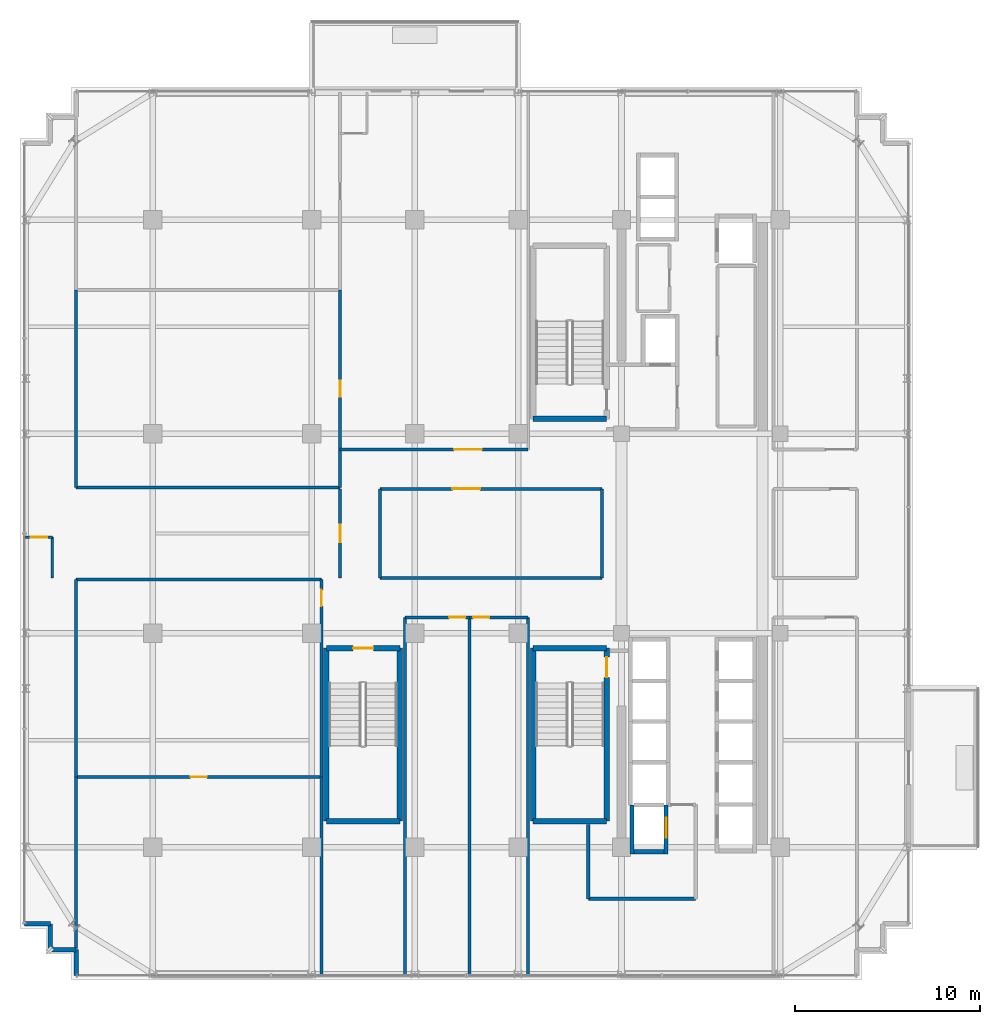
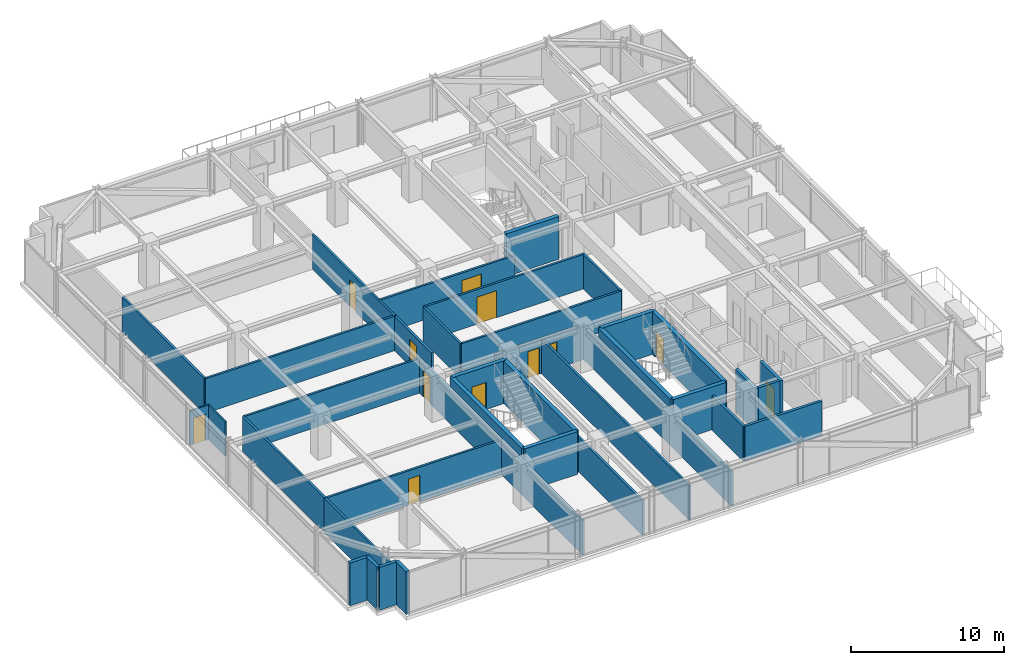
# One storey, part 36 of 42: 40 walls, 12 doors, 12 openings.
"""IFC4 building model written with IfcOpenShell, lengths in metres."""

from ifc_helpers import new_model, si_unit, direction, frame, frame_2d, origin, place, context, subcontext, project, spatial, rectangle, extrude, source, transform, mapped, material, layer, layer_set, type_object, element, fill, save


model = new_model("IFC4")

# Units and contexts
model_context = context("Model", 3, precision=1e-05, world=origin(), true_north=direction((0.0, 1.0)))
body_context = subcontext(model_context, "Body", "Model", "MODEL_VIEW")
ifc_project = project(units=[si_unit("LENGTHUNIT", "METRE"), si_unit("AREAUNIT", "SQUARE_METRE"), si_unit("VOLUMEUNIT", "CUBIC_METRE"), si_unit("PLANEANGLEUNIT", "RADIAN"), si_unit("MASSUNIT", "GRAM", prefix="KILO")], contexts=[model_context])

# Site, building, storey
site_placement = place(None, origin())
site = spatial("IfcSite", under=ifc_project, at=site_placement, CompositionType="ELEMENT")
building_placement = place(site_placement, origin())
building = spatial("IfcBuilding", under=site, at=building_placement, Name="Nahalor Promenade Grand Hotel", CompositionType="ELEMENT")
storey_placement = place(building_placement, frame((0.0, 0.0, 249.300048828125)))
storey = spatial("IfcBuildingStorey", under=building, at=storey_placement, Name="L64", CompositionType="ELEMENT", Elevation=249.300048828125)

# Walls
ifc_material_1 = material(Name="Concrete B-50 (C40/50)", Category="concrete")
ifc_layer_1 = layer(ifc_material_1, 0.300048828125)
ifc_layer_set_1 = layer_set([ifc_layer_1], Name="Concrete B-50 (C40/50)")
wall_type_1 = type_object("IfcWallType", Name="Wall-ShaftShear-300", PredefinedType="SHEAR", material=ifc_layer_set_1)
shared_shape_1 = source(origin(), body_context, "Body", "SweptSolid", [
    extrude(rectangle(XDim=3.97998046875, YDim=0.300048828125, at=frame_2d((1.989990234375, 0.0))), origin(), (0.0, 0.0, 1.0), 3.409912109375),
])
for number, where, z_axis, x_axis, name in (
    (1, (3.610107421875, 6.2099609375, 0.0), (0.0, 0.0, 1.0), (1.0, 0.0, 0.0), "L64 Exit Stair ST1 Shaft Wall S"),
    (2, (3.610107421875, -15.590087890625, 0.0), (0.0, 0.0, 1.0), (1.0, 0.0, 0.0), "L64 Exit Stair ST2 Shaft Wall S"),
    (3, (3.610107421875, -6.2099609375, 0.0), (0.0, 0.0, 1.0), (1.0, 0.0, 0.0), "L64 Exit Stair ST2 Shaft Wall N"),
    (4, (-7.590087890625, -15.590087890625, 0.0), (0.0, 0.0, 1.0), (1.0, 0.0, 0.0), "L64 Exit Stair ST3 Shaft Wall S"),
):
    element("IfcWall", number, at=place(storey_placement, frame(where, z_axis=z_axis, x_axis=x_axis)), inside=storey, type_object=wall_type_1, Name=name, PredefinedType="SHEAR", context=body_context, shape_type="MappedRepresentation", body=[
        mapped(shared_shape_1, transform((0.0, 0.0, 0.0), scale=1.0)),
    ])

# Wall, opening, door
wall_1_placement = place(storey_placement, frame((-7.590087890625, -6.2099609375, 0.0), z_axis=(0.0, 0.0, 1.0), x_axis=(1.0, 0.0, 0.0)))
wall_1 = element("IfcWall", 5, at=wall_1_placement, inside=storey, type_object=wall_type_1, Name="L64 Exit Stair ST3 Shaft Wall N", PredefinedType="SHEAR", context=body_context, shape_type="MappedRepresentation", body=[
    mapped(shared_shape_1, transform((0.0, 0.0, 0.0), scale=1.0)),
])
opening_1_placement = place(wall_1_placement, frame((1.43994140625, 0.0, 0.0)))
opening_1 = element("IfcOpeningElement", 6, at=opening_1_placement, cuts=wall_1, Name="Opening D-ST1", PredefinedType="OPENING", context=body_context, shape_type="SweptSolid", body=[
    extrude(rectangle(XDim=1.10009765625, YDim=2.14990234375, at=frame_2d((0.550048828125, 1.074951171875))), frame((0.0, 0.159912109375, 0.0), z_axis=(0.0, -1.0, 0.0), x_axis=(1.0, 0.0, 0.0)), (0.0, 0.0, 1.0), 0.320068359375),
])
ifc_material_2 = material(Name="Steel S355JR", Category="steel")
door_type_1 = type_object("IfcDoorType", Name="Door-StairFire-1100", OperationType="NOTDEFINED", PredefinedType="DOOR", material=ifc_material_2)
shared_shape_2 = source(origin(), body_context, "Body", "SweptSolid", [
    extrude(rectangle(XDim=1.10009765625, YDim=2.14990234375, at=frame_2d((0.550048828125, 1.074951171875))), frame((0.0, 0.02490234375, 0.0), z_axis=(0.0, -1.0, 0.0), x_axis=(1.0, 0.0, 0.0)), (0.0, 0.0, 1.0), 0.050048828125),
])
door_1_placement = place(opening_1_placement, frame((1.10009765625, 0.0, 0.0), z_axis=(0.0, 0.0, 1.0), x_axis=(-1.0, 0.0, 0.0)))
door_1 = element("IfcDoor", 7, at=door_1_placement, inside=storey, type_object=door_type_1, Name="DR-STAIR-ST3-L64", OperationType="SINGLE_SWING_LEFT", OverallHeight=2.14990234375, OverallWidth=1.10009765625, PredefinedType="DOOR", context=body_context, shape_type="MappedRepresentation", body=[
    mapped(shared_shape_2, transform((0.0, 0.0, 0.0), scale=1.0)),
])
fill(opening_1, door_1)

# Wall
shared_shape_3 = source(origin(), body_context, "Body", "SweptSolid", [
    extrude(rectangle(XDim=9.380126953125, YDim=0.300048828125, at=frame_2d((4.68994140625, 0.0))), origin(), (0.0, 0.0, 1.0), 3.409912109375),
])
wall_2_placement = place(storey_placement, frame((3.610107421875, -15.590087890625, 0.0), z_axis=(0.0, 0.0, 1.0), x_axis=(0.0, 1.0, 0.0)))
element("IfcWall", 8, at=wall_2_placement, inside=storey, type_object=wall_type_1, Name="L64 Exit Stair ST2 Shaft Wall W", PredefinedType="SHEAR", context=body_context, shape_type="MappedRepresentation", body=[
    mapped(shared_shape_3, transform((0.0, 0.0, 0.0), scale=1.0)),
])

# Wall, opening, door
wall_3_placement = place(storey_placement, frame((7.590087890625, -15.590087890625, 0.0), z_axis=(0.0, 0.0, 1.0), x_axis=(0.0, 1.0, 0.0)))
wall_3 = element("IfcWall", 9, at=wall_3_placement, inside=storey, type_object=wall_type_1, Name="L64 Exit Stair ST2 Shaft Wall E", PredefinedType="SHEAR", context=body_context, shape_type="MappedRepresentation", body=[
    mapped(shared_shape_3, transform((0.0, 0.0, 0.0), scale=1.0)),
])
opening_2_placement = place(wall_3_placement, frame((7.7900390625, 0.0, 0.0)))
opening_2 = element("IfcOpeningElement", 10, at=opening_2_placement, cuts=wall_3, Name="Opening D-ST1", PredefinedType="OPENING", context=body_context, shape_type="SweptSolid", body=[
    extrude(rectangle(XDim=1.10009765625, YDim=2.14990234375, at=frame_2d((0.550048828125, 1.074951171875))), frame((0.0, 0.159912109375, 0.0), z_axis=(0.0, -1.0, 0.0), x_axis=(1.0, 0.0, 0.0)), (0.0, 0.0, 1.0), 0.320068359375),
])
door_2_placement = place(opening_2_placement, origin())
door_2 = element("IfcDoor", 11, at=door_2_placement, inside=storey, type_object=door_type_1, Name="DR-STAIR-ST2-L64", OperationType="SINGLE_SWING_LEFT", OverallHeight=2.14990234375, OverallWidth=1.10009765625, PredefinedType="DOOR", context=body_context, shape_type="MappedRepresentation", body=[
    mapped(shared_shape_2, transform((0.0, 0.0, 0.0), scale=1.0)),
])
fill(opening_2, door_2)

# Walls
for number, where, z_axis, x_axis, name in (
    (12, (-7.590087890625, -15.590087890625, 0.0), (0.0, 0.0, 1.0), (0.0, 1.0, 0.0), "L64 Exit Stair ST3 Shaft Wall W"),
    (13, (-3.610107421875, -15.590087890625, 0.0), (0.0, 0.0, 1.0), (0.0, 1.0, 0.0), "L64 Exit Stair ST3 Shaft Wall E"),
):
    element("IfcWall", number, at=place(storey_placement, frame(where, z_axis=z_axis, x_axis=x_axis)), inside=storey, type_object=wall_type_1, Name=name, PredefinedType="SHEAR", context=body_context, shape_type="MappedRepresentation", body=[
        mapped(shared_shape_3, transform((0.0, 0.0, 0.0), scale=1.0)),
    ])
ifc_layer_2 = layer(ifc_material_1, 0.219970703125)
ifc_layer_set_2 = layer_set([ifc_layer_2], Name="Concrete B-50 (C40/50)")
wall_type_2 = type_object("IfcWallType", Name="Wall-LiftShaft-220", PredefinedType="SHEAR", material=ifc_layer_set_2)
shared_shape_4 = source(origin(), body_context, "Body", "SweptSolid", [
    extrude(rectangle(XDim=2.635009765625, YDim=0.219970703125, at=frame_2d((1.3173828125, 0.0))), origin(), (0.0, 0.0, 1.0), 3.409912109375),
])
wall_4_placement = place(storey_placement, frame((8.97998046875, -17.360107421875, 0.0), z_axis=(0.0, 0.0, 1.0), x_axis=(0.0, 1.0, 0.0)))
element("IfcWall", 14, at=wall_4_placement, inside=storey, type_object=wall_type_2, Name="L64 Lift FL2 Hoistway Wall W", PredefinedType="SHEAR", context=body_context, shape_type="MappedRepresentation", body=[
    mapped(shared_shape_4, transform((0.0, 0.0, 0.0), scale=1.0)),
])

# Wall, opening, door
wall_5_placement = place(storey_placement, frame((10.820068359375, -17.360107421875, 0.0), z_axis=(0.0, 0.0, 1.0), x_axis=(0.0, 1.0, 0.0)))
wall_5 = element("IfcWall", 15, at=wall_5_placement, inside=storey, type_object=wall_type_2, Name="L64 Lift FL2 Hoistway Wall E", PredefinedType="SHEAR", context=body_context, shape_type="MappedRepresentation", body=[
    mapped(shared_shape_4, transform((0.0, 0.0, 0.0), scale=1.0)),
])
opening_3_placement = place(wall_5_placement, frame((0.860107421875, 0.0, 0.0)))
opening_3 = element("IfcOpeningElement", 16, at=opening_3_placement, cuts=wall_5, Name="Opening LD-02", PredefinedType="OPENING", context=body_context, shape_type="SweptSolid", body=[
    extrude(rectangle(XDim=1.10009765625, YDim=2.199951171875, at=frame_2d((0.550048828125, 1.10009765625))), frame((0.0, 0.119873046875, 0.0), z_axis=(0.0, -1.0, 0.0), x_axis=(1.0, 0.0, 0.0)), (0.0, 0.0, 1.0), 0.239990234375),
])
door_type_2 = type_object("IfcDoorType", Name="Door-LiftFF-1100", OperationType="DOUBLE_DOOR_SLIDING", PredefinedType="DOOR", material=ifc_material_2)
shared_shape_5 = source(origin(), body_context, "Body", "SweptSolid", [
    extrude(rectangle(XDim=1.10009765625, YDim=2.199951171875, at=frame_2d((0.550048828125, 1.10009765625))), frame((0.0, 0.02490234375, 0.0), z_axis=(0.0, -1.0, 0.0), x_axis=(1.0, 0.0, 0.0)), (0.0, 0.0, 1.0), 0.050048828125),
])
door_3_placement = place(opening_3_placement, frame((1.10009765625, 0.0, 0.0), z_axis=(0.0, 0.0, 1.0), x_axis=(-1.0, 0.0, 0.0)))
door_3 = element("IfcDoor", 17, at=door_3_placement, inside=storey, type_object=door_type_2, Name="DR-LIFT-FL2-L64", OperationType="DOUBLE_DOOR_SLIDING", OverallHeight=2.199951171875, OverallWidth=1.10009765625, PredefinedType="DOOR", context=body_context, shape_type="MappedRepresentation", body=[
    mapped(shared_shape_5, transform((0.0, 0.0, 0.0), scale=1.0)),
])
fill(opening_3, door_3)

# Walls
shared_shape_6 = source(origin(), body_context, "Body", "SweptSolid", [
    extrude(rectangle(XDim=1.619873046875, YDim=0.219970703125, at=frame_2d((0.81005859375, 0.0))), origin(), (0.0, 0.0, 1.0), 3.409912109375),
])
wall_6_placement = place(storey_placement, frame((9.090087890625, -17.25, 0.0), z_axis=(0.0, 0.0, 1.0), x_axis=(1.0, 0.0, 0.0)))
element("IfcWall", 18, at=wall_6_placement, inside=storey, type_object=wall_type_2, Name="L64 Lift FL2 Hoistway Wall S", PredefinedType="SHEAR", context=body_context, shape_type="MappedRepresentation", body=[
    mapped(shared_shape_6, transform((0.0, 0.0, 0.0), scale=1.0)),
])
ifc_material_3 = material(Name="Concrete B-40 (C32/40)", Category="concrete")
ifc_layer_3 = layer(ifc_material_3, 0.25)
ifc_layer_set_3 = layer_set([ifc_layer_3], Name="Concrete B-40 (C32/40)")
wall_type_3 = type_object("IfcWallType", Name="Wall-BronzePier-250", PredefinedType="STANDARD", material=ifc_layer_set_3)
shared_shape_7 = source(origin(), body_context, "Body", "SweptSolid", [
    extrude(rectangle(XDim=1.39990234375, YDim=0.25, at=frame_2d((0.699951171875, 0.0))), origin(), (0.0, 0.0, 1.0), 3.409912109375),
])
for number, where, z_axis, x_axis, name in (
    (19, (-23.9599609375, -21.159912109375, 0.0), (0.0, 0.0, 1.0), (1.0, 0.0, 0.0), "W-L64-SR-13"),
    (20, (-21.159912109375, -23.9599609375, 0.0), (0.0, 0.0, 1.0), (0.0, 1.0, 0.0), "W-L64-SR-16"),
):
    element("IfcWall", number, at=place(storey_placement, frame(where, z_axis=z_axis, x_axis=x_axis)), inside=storey, type_object=wall_type_3, Name=name, PredefinedType="STANDARD", context=body_context, shape_type="MappedRepresentation", body=[
        mapped(shared_shape_7, transform((0.0, 0.0, 0.0), scale=1.0)),
    ])
shared_shape_8 = source(origin(), body_context, "Body", "SweptSolid", [
    extrude(rectangle(XDim=1.400146484375, YDim=0.25, at=frame_2d((0.7001953125, 0.0))), origin(), (0.0, 0.0, 1.0), 3.409912109375),
])
for number, where, z_axis, x_axis, name in (
    (21, (-22.56005859375, -22.56005859375, 0.0), (0.0, 0.0, 1.0), (0.0, 1.0, 0.0), "W-L64-SR-14"),
    (22, (-22.56005859375, -22.56005859375, 0.0), (0.0, 0.0, 1.0), (1.0, 0.0, 0.0), "W-L64-SR-15"),
):
    element("IfcWall", number, at=place(storey_placement, frame(where, z_axis=z_axis, x_axis=x_axis)), inside=storey, type_object=wall_type_3, Name=name, PredefinedType="STANDARD", context=body_context, shape_type="MappedRepresentation", body=[
        mapped(shared_shape_8, transform((0.0, 0.0, 0.0), scale=1.0)),
    ])
ifc_layer_4 = layer(ifc_material_3, 0.199951171875)
ifc_layer_set_4 = layer_set([ifc_layer_4], Name="Concrete B-40 (C32/40)")
wall_type_4 = type_object("IfcWallType", Name="Wall-PartFire-200", PredefinedType="PARTITIONING", material=ifc_layer_set_4)
shared_shape_9 = source(origin(), body_context, "Body", "SweptSolid", [
    extrude(rectangle(XDim=5.81982421875, YDim=0.199951171875, at=frame_2d((2.909912109375, 0.0))), origin(), (0.0, 0.0, 1.0), 2.75),
])
wall_7_placement = place(storey_placement, frame((6.60009765625, -19.800048828125, 0.0), z_axis=(0.0, 0.0, 1.0), x_axis=(1.0, 0.0, 0.0)))
element("IfcWall", 23, at=wall_7_placement, inside=storey, type_object=wall_type_4, Name="W-L64-FF2-S1", PredefinedType="PARTITIONING", context=body_context, shape_type="MappedRepresentation", body=[
    mapped(shared_shape_9, transform((0.0, 0.0, 0.0), scale=1.0)),
])
shared_shape_10 = source(origin(), body_context, "Body", "SweptSolid", [
    extrude(rectangle(XDim=4.030029296875, YDim=0.199951171875, at=frame_2d((2.01513671875, 0.0))), origin(), (0.0, 0.0, 1.0), 2.75),
])
wall_8_placement = place(storey_placement, frame((6.60009765625, -19.800048828125, 0.0), z_axis=(0.0, 0.0, 1.0), x_axis=(0.0, 1.0, 0.0)))
element("IfcWall", 24, at=wall_8_placement, inside=storey, type_object=wall_type_4, Name="W-L64-FF2-W1", PredefinedType="PARTITIONING", context=body_context, shape_type="MappedRepresentation", body=[
    mapped(shared_shape_10, transform((0.0, 0.0, 0.0), scale=1.0)),
])
ifc_material_4 = material(Name="Acoustic Mineral Gypsum", Category="gypsum")
ifc_layer_5 = layer(ifc_material_4, 0.159912109375)
ifc_layer_set_5 = layer_set([ifc_layer_5], Name="Acoustic Mineral Gypsum")
wall_type_5 = type_object("IfcWallType", Name="Wall-PartCorridor-160", PredefinedType="PARTITIONING", material=ifc_layer_set_5)
shared_shape_11 = source(origin(), body_context, "Body", "SweptSolid", [
    extrude(rectangle(XDim=19.349853515625, YDim=0.159912109375, at=frame_2d((9.6748046875, 0.0))), origin(), (0.0, 0.0, 1.0), 2.75),
])
for number, where, z_axis, x_axis, name in (
    (25, (-3.340087890625, -23.89990234375, 0.0), (0.0, 0.0, 1.0), (0.0, 1.0, 0.0), "W-L64-SCB1-W"),
    (26, (0.14990234375, -23.89990234375, 0.0), (0.0, 0.0, 1.0), (0.0, 1.0, 0.0), "W-L64-SCB1-E"),
    (27, (3.340087890625, -23.89990234375, 0.0), (0.0, 0.0, 1.0), (0.0, 1.0, 0.0), "W-L64-SCB2-E"),
):
    element("IfcWall", number, at=place(storey_placement, frame(where, z_axis=z_axis, x_axis=x_axis)), inside=storey, type_object=wall_type_5, Name=name, PredefinedType="PARTITIONING", context=body_context, shape_type="MappedRepresentation", body=[
        mapped(shared_shape_11, transform((0.0, 0.0, 0.0), scale=1.0)),
    ])

# Wall, opening, door
ifc_layer_6 = layer(ifc_material_4, 0.1201171875)
ifc_layer_set_6 = layer_set([ifc_layer_6], Name="Acoustic Mineral Gypsum")
wall_type_6 = type_object("IfcWallType", Name="Wall-PartBath-120", PredefinedType="PARTITIONING", material=ifc_layer_set_6)
shared_shape_12 = source(origin(), body_context, "Body", "SweptSolid", [
    extrude(rectangle(XDim=1.449951171875, YDim=0.1201171875, at=frame_2d((0.72509765625, 0.0))), origin(), (0.0, 0.0, 1.0), 2.75),
])
wall_9_placement = place(storey_placement, frame((-23.89990234375, -0.199951171875, 0.0), z_axis=(0.0, 0.0, 1.0), x_axis=(1.0, 0.0, 0.0)))
wall_9 = element("IfcWall", 28, at=wall_9_placement, inside=storey, type_object=wall_type_6, Name="W-L64-W1-BH", PredefinedType="PARTITIONING", context=body_context, shape_type="MappedRepresentation", body=[
    mapped(shared_shape_12, transform((0.0, 0.0, 0.0), scale=1.0)),
])
opening_4_placement = place(wall_9_placement, frame((0.284912109375, 0.0, 0.0)))
opening_4 = element("IfcOpeningElement", 29, at=opening_4_placement, cuts=wall_9, Name="Opening D-03", PredefinedType="OPENING", context=body_context, shape_type="SweptSolid", body=[
    extrude(rectangle(XDim=0.8798828125, YDim=2.10009765625, at=frame_2d((0.43994140625, 1.050048828125))), frame((0.0, 0.070068359375, 0.0), z_axis=(0.0, -1.0, 0.0), x_axis=(1.0, 0.0, 0.0)), (0.0, 0.0, 1.0), 0.14013671875),
])
ifc_material_5 = material(Name="Fire-Rated Timber Composite", Category="wood")
door_type_3 = type_object("IfcDoorType", Name="Door-BathSwing-880", OperationType="NOTDEFINED", PredefinedType="DOOR", material=ifc_material_5)
shared_shape_13 = source(origin(), body_context, "Body", "SweptSolid", [
    extrude(rectangle(XDim=0.8798828125, YDim=2.10009765625, at=frame_2d((0.43994140625, 1.050048828125))), frame((0.0, 0.02490234375, 0.0), z_axis=(0.0, -1.0, 0.0), x_axis=(1.0, 0.0, 0.0)), (0.0, 0.0, 1.0), 0.050048828125),
])
door_4_placement = place(opening_4_placement, frame((0.8798828125, 0.0, 0.0), z_axis=(0.0, 0.0, 1.0), x_axis=(-1.0, 0.0, 0.0)))
door_4 = element("IfcDoor", 30, at=door_4_placement, inside=storey, type_object=door_type_3, Name="DR-L64-W1-BATH", OperationType="SINGLE_SWING_RIGHT", OverallHeight=2.10009765625, OverallWidth=0.8798828125, PredefinedType="DOOR", context=body_context, shape_type="MappedRepresentation", body=[
    mapped(shared_shape_13, transform((0.0, 0.0, 0.0), scale=1.0)),
])
fill(opening_4, door_4)

# Wall
shared_shape_14 = source(origin(), body_context, "Body", "SweptSolid", [
    extrude(rectangle(XDim=2.219970703125, YDim=0.1201171875, at=frame_2d((1.10986328125, 0.0))), origin(), (0.0, 0.0, 1.0), 2.75),
])
wall_10_placement = place(storey_placement, frame((-22.449951171875, -2.419921875, 0.0), z_axis=(0.0, 0.0, 1.0), x_axis=(0.0, 1.0, 0.0)))
element("IfcWall", 31, at=wall_10_placement, inside=storey, type_object=wall_type_6, Name="W-L64-W1-BV", PredefinedType="PARTITIONING", context=body_context, shape_type="MappedRepresentation", body=[
    mapped(shared_shape_14, transform((0.0, 0.0, 0.0), scale=1.0)),
])

# Wall, opening, door
shared_shape_15 = source(origin(), body_context, "Body", "SweptSolid", [
    extrude(rectangle(XDim=3.489990234375, YDim=0.159912109375, at=frame_2d((1.7451171875, 0.0))), origin(), (0.0, 0.0, 1.0), 2.75),
])
wall_11_placement = place(storey_placement, frame((-3.340087890625, -4.550048828125, 0.0), z_axis=(0.0, 0.0, 1.0), x_axis=(1.0, 0.0, 0.0)))
wall_11 = element("IfcWall", 32, at=wall_11_placement, inside=storey, type_object=wall_type_5, Name="W-L64-SCB1-N", PredefinedType="PARTITIONING", context=body_context, shape_type="MappedRepresentation", body=[
    mapped(shared_shape_15, transform((0.0, 0.0, 0.0), scale=1.0)),
])
opening_5_placement = place(wall_11_placement, frame((2.39990234375, 0.0, 0.0)))
opening_5 = element("IfcOpeningElement", 33, at=opening_5_placement, cuts=wall_11, Name="Opening D-03", PredefinedType="OPENING", context=body_context, shape_type="SweptSolid", body=[
    extrude(rectangle(XDim=0.8798828125, YDim=2.10009765625, at=frame_2d((0.43994140625, 1.050048828125))), frame((0.0, 0.08984375, 0.0), z_axis=(0.0, -1.0, 0.0), x_axis=(1.0, 0.0, 0.0)), (0.0, 0.0, 1.0), 0.179931640625),
])
door_5_placement = place(opening_5_placement, frame((0.8798828125, 0.0, 0.0), z_axis=(0.0, 0.0, 1.0), x_axis=(-1.0, 0.0, 0.0)))
door_5 = element("IfcDoor", 34, at=door_5_placement, inside=storey, type_object=door_type_3, Name="DR-L64-SCB1", OperationType="SINGLE_SWING_RIGHT", OverallHeight=2.10009765625, OverallWidth=0.8798828125, PredefinedType="DOOR", context=body_context, shape_type="MappedRepresentation", body=[
    mapped(shared_shape_13, transform((0.0, 0.0, 0.0), scale=1.0)),
])
fill(opening_5, door_5)

shared_shape_16 = source(origin(), body_context, "Body", "SweptSolid", [
    extrude(rectangle(XDim=3.190185546875, YDim=0.159912109375, at=frame_2d((1.59521484375, 0.0))), origin(), (0.0, 0.0, 1.0), 2.75),
])
wall_12_placement = place(storey_placement, frame((0.14990234375, -4.550048828125, 0.0), z_axis=(0.0, 0.0, 1.0), x_axis=(1.0, 0.0, 0.0)))
wall_12 = element("IfcWall", 35, at=wall_12_placement, inside=storey, type_object=wall_type_5, Name="W-L64-SCB2-N", PredefinedType="PARTITIONING", context=body_context, shape_type="MappedRepresentation", body=[
    mapped(shared_shape_16, transform((0.0, 0.0, 0.0), scale=1.0)),
])
opening_6_placement = place(wall_12_placement, frame((0.2099609375, 0.0, 0.0)))
opening_6 = element("IfcOpeningElement", 36, at=opening_6_placement, cuts=wall_12, Name="Opening D-03", PredefinedType="OPENING", context=body_context, shape_type="SweptSolid", body=[
    extrude(rectangle(XDim=0.8798828125, YDim=2.10009765625, at=frame_2d((0.43994140625, 1.050048828125))), frame((0.0, 0.08984375, 0.0), z_axis=(0.0, -1.0, 0.0), x_axis=(1.0, 0.0, 0.0)), (0.0, 0.0, 1.0), 0.179931640625),
])
door_6_placement = place(opening_6_placement, frame((0.8798828125, 0.0, 0.0), z_axis=(0.0, 0.0, 1.0), x_axis=(-1.0, 0.0, 0.0)))
door_6 = element("IfcDoor", 37, at=door_6_placement, inside=storey, type_object=door_type_3, Name="DR-L64-SCB2", OperationType="SINGLE_SWING_LEFT", OverallHeight=2.10009765625, OverallWidth=0.8798828125, PredefinedType="DOOR", context=body_context, shape_type="MappedRepresentation", body=[
    mapped(shared_shape_13, transform((0.0, 0.0, 0.0), scale=1.0)),
])
fill(opening_6, door_6)

shared_shape_17 = source(origin(), body_context, "Body", "SweptSolid", [
    extrude(rectangle(XDim=4.83984375, YDim=0.159912109375, at=frame_2d((2.419921875, 0.0))), origin(), (0.0, 0.0, 1.0), 2.75),
])
wall_13_placement = place(storey_placement, frame((-6.85009765625, -2.419921875, 0.0), z_axis=(0.0, 0.0, 1.0), x_axis=(0.0, 1.0, 0.0)))
wall_13 = element("IfcWall", 38, at=wall_13_placement, inside=storey, type_object=wall_type_5, Name="W-L64-WEST-E", PredefinedType="PARTITIONING", context=body_context, shape_type="MappedRepresentation", body=[
    mapped(shared_shape_17, transform((0.0, 0.0, 0.0), scale=1.0)),
])
opening_7_placement = place(wall_13_placement, frame((1.945068359375, 0.0, 0.0)))
opening_7 = element("IfcOpeningElement", 39, at=opening_7_placement, cuts=wall_13, Name="Opening D-01", PredefinedType="OPENING", context=body_context, shape_type="SweptSolid", body=[
    extrude(rectangle(XDim=0.949951171875, YDim=2.10009765625, at=frame_2d((0.47509765625, 1.050048828125))), frame((0.0, 0.08984375, 0.0), z_axis=(0.0, -1.0, 0.0), x_axis=(1.0, 0.0, 0.0)), (0.0, 0.0, 1.0), 0.179931640625),
])
door_type_4 = type_object("IfcDoorType", Name="Door-GuestEntry-950", OperationType="NOTDEFINED", PredefinedType="DOOR", material=ifc_material_5)
shared_shape_18 = source(origin(), body_context, "Body", "SweptSolid", [
    extrude(rectangle(XDim=0.949951171875, YDim=2.10009765625, at=frame_2d((0.47509765625, 1.050048828125))), frame((0.0, 0.02490234375, 0.0), z_axis=(0.0, -1.0, 0.0), x_axis=(1.0, 0.0, 0.0)), (0.0, 0.0, 1.0), 0.050048828125),
])
door_7_placement = place(opening_7_placement, origin())
door_7 = element("IfcDoor", 40, at=door_7_placement, inside=storey, type_object=door_type_4, Name="DR-L64-W1-ENT", OperationType="SINGLE_SWING_LEFT", OverallHeight=2.10009765625, OverallWidth=0.949951171875, PredefinedType="DOOR", context=body_context, shape_type="MappedRepresentation", body=[
    mapped(shared_shape_18, transform((0.0, 0.0, 0.0), scale=1.0)),
])
fill(opening_7, door_7)

# Walls
for number, where, z_axis, x_axis, name in (
    (41, (-4.699951171875, -2.419921875, 0.0), (0.0, 0.0, 1.0), (0.0, 1.0, 0.0), "W-L64-CM1-W"),
    (42, (7.35009765625, -2.419921875, 0.0), (0.0, 0.0, 1.0), (0.0, 1.0, 0.0), "W-L64-CM1-E"),
):
    element("IfcWall", number, at=place(storey_placement, frame(where, z_axis=z_axis, x_axis=x_axis)), inside=storey, type_object=wall_type_5, Name=name, PredefinedType="PARTITIONING", context=body_context, shape_type="MappedRepresentation", body=[
        mapped(shared_shape_17, transform((0.0, 0.0, 0.0), scale=1.0)),
    ])
shared_shape_19 = source(origin(), body_context, "Body", "SweptSolid", [
    extrude(rectangle(XDim=14.309814453125, YDim=0.159912109375, at=frame_2d((7.15478515625, 0.0))), origin(), (0.0, 0.0, 1.0), 2.75),
])
wall_14_placement = place(storey_placement, frame((-21.159912109375, 2.5, 0.0), z_axis=(0.0, 0.0, 1.0), x_axis=(1.0, 0.0, 0.0)))
element("IfcWall", 43, at=wall_14_placement, inside=storey, type_object=wall_type_5, Name="W-L64-NW0A-S", PredefinedType="PARTITIONING", context=body_context, shape_type="MappedRepresentation", body=[
    mapped(shared_shape_19, transform((0.0, 0.0, 0.0), scale=1.0)),
])
shared_shape_20 = source(origin(), body_context, "Body", "SweptSolid", [
    extrude(rectangle(XDim=10.699951171875, YDim=0.159912109375, at=frame_2d((5.35009765625, 0.0))), origin(), (0.0, 0.0, 1.0), 2.75),
])
wall_15_placement = place(storey_placement, frame((-21.159912109375, 2.5, 0.0), z_axis=(0.0, 0.0, 1.0), x_axis=(0.0, 1.0, 0.0)))
element("IfcWall", 44, at=wall_15_placement, inside=storey, type_object=wall_type_5, Name="W-L64-NW0A-W", PredefinedType="PARTITIONING", context=body_context, shape_type="MappedRepresentation", body=[
    mapped(shared_shape_20, transform((0.0, 0.0, 0.0), scale=1.0)),
])

# Wall, opening, door
wall_16_placement = place(storey_placement, frame((-6.85009765625, 2.5, 0.0), z_axis=(0.0, 0.0, 1.0), x_axis=(0.0, 1.0, 0.0)))
wall_16 = element("IfcWall", 45, at=wall_16_placement, inside=storey, type_object=wall_type_5, Name="W-L64-NW0A-E", PredefinedType="PARTITIONING", context=body_context, shape_type="MappedRepresentation", body=[
    mapped(shared_shape_20, transform((0.0, 0.0, 0.0), scale=1.0)),
])
opening_8_placement = place(wall_16_placement, frame((4.909912109375, 0.0, 0.0)))
opening_8 = element("IfcOpeningElement", 46, at=opening_8_placement, cuts=wall_16, Name="Opening D-03", PredefinedType="OPENING", context=body_context, shape_type="SweptSolid", body=[
    extrude(rectangle(XDim=0.8798828125, YDim=2.10009765625, at=frame_2d((0.43994140625, 1.050048828125))), frame((0.0, 0.08984375, 0.0), z_axis=(0.0, -1.0, 0.0), x_axis=(1.0, 0.0, 0.0)), (0.0, 0.0, 1.0), 0.179931640625),
])
door_8_placement = place(opening_8_placement, origin())
door_8 = element("IfcDoor", 47, at=door_8_placement, inside=storey, type_object=door_type_3, Name="DR-L64-NW0A", OperationType="SINGLE_SWING_LEFT", OverallHeight=2.10009765625, OverallWidth=0.8798828125, PredefinedType="DOOR", context=body_context, shape_type="MappedRepresentation", body=[
    mapped(shared_shape_13, transform((0.0, 0.0, 0.0), scale=1.0)),
])
fill(opening_8, door_8)

# Walls
for number, where, z_axis, x_axis, name in (
    (48, (-7.860107421875, -23.89990234375, 0.0), (0.0, 0.0, 1.0), (0.0, 1.0, 0.0), "W-L64-SW0A-E"),
    (49, (-21.159912109375, -13.199951171875, 0.0), (0.0, 0.0, 1.0), (0.0, 1.0, 0.0), "W-L64-SW0B-W"),
):
    element("IfcWall", number, at=place(storey_placement, frame(where, z_axis=z_axis, x_axis=x_axis)), inside=storey, type_object=wall_type_5, Name=name, PredefinedType="PARTITIONING", context=body_context, shape_type="MappedRepresentation", body=[
        mapped(shared_shape_20, transform((0.0, 0.0, 0.0), scale=1.0)),
    ])

# Wall, opening, door
wall_17_placement = place(storey_placement, frame((-7.860107421875, -13.199951171875, 0.0), z_axis=(0.0, 0.0, 1.0), x_axis=(0.0, 1.0, 0.0)))
wall_17 = element("IfcWall", 50, at=wall_17_placement, inside=storey, type_object=wall_type_5, Name="W-L64-SW0B-E", PredefinedType="PARTITIONING", context=body_context, shape_type="MappedRepresentation", body=[
    mapped(shared_shape_20, transform((0.0, 0.0, 0.0), scale=1.0)),
])
opening_9_placement = place(wall_17_placement, frame((9.260009765625, 0.0, 0.0)))
opening_9 = element("IfcOpeningElement", 51, at=opening_9_placement, cuts=wall_17, Name="Opening D-03", PredefinedType="OPENING", context=body_context, shape_type="SweptSolid", body=[
    extrude(rectangle(XDim=0.8798828125, YDim=2.10009765625, at=frame_2d((0.43994140625, 1.050048828125))), frame((0.0, 0.08984375, 0.0), z_axis=(0.0, -1.0, 0.0), x_axis=(1.0, 0.0, 0.0)), (0.0, 0.0, 1.0), 0.179931640625),
])
door_9_placement = place(opening_9_placement, origin())
door_9 = element("IfcDoor", 52, at=door_9_placement, inside=storey, type_object=door_type_3, Name="DR-L64-SW0B", OperationType="SINGLE_SWING_LEFT", OverallHeight=2.10009765625, OverallWidth=0.8798828125, PredefinedType="DOOR", context=body_context, shape_type="MappedRepresentation", body=[
    mapped(shared_shape_13, transform((0.0, 0.0, 0.0), scale=1.0)),
])
fill(opening_9, door_9)

# Wall
shared_shape_21 = source(origin(), body_context, "Body", "SweptSolid", [
    extrude(rectangle(XDim=9.280029296875, YDim=0.159912109375, at=frame_2d((4.64013671875, 0.0))), origin(), (0.0, 0.0, 1.0), 2.75),
])
wall_18_placement = place(storey_placement, frame((-21.159912109375, -22.47998046875, 0.0), z_axis=(0.0, 0.0, 1.0), x_axis=(0.0, 1.0, 0.0)))
element("IfcWall", 53, at=wall_18_placement, inside=storey, type_object=wall_type_5, Name="W-L64-SW0A-W", PredefinedType="PARTITIONING", context=body_context, shape_type="MappedRepresentation", body=[
    mapped(shared_shape_21, transform((0.0, 0.0, 0.0), scale=1.0)),
])

# Wall, opening, door
shared_shape_22 = source(origin(), body_context, "Body", "SweptSolid", [
    extrude(rectangle(XDim=10.190185546875, YDim=0.159912109375, at=frame_2d((5.09521484375, 0.0))), origin(), (0.0, 0.0, 1.0), 2.75),
])
wall_19_placement = place(storey_placement, frame((-6.85009765625, 4.550048828125, 0.0), z_axis=(0.0, 0.0, 1.0), x_axis=(1.0, 0.0, 0.0)))
wall_19 = element("IfcWall", 54, at=wall_19_placement, inside=storey, type_object=wall_type_5, Name="W-L64-CORR-N", PredefinedType="PARTITIONING", context=body_context, shape_type="MappedRepresentation", body=[
    mapped(shared_shape_22, transform((0.0, 0.0, 0.0), scale=1.0)),
])
opening_10_placement = place(wall_19_placement, frame((6.177978515625, 0.0, 0.0)))
opening_10 = element("IfcOpeningElement", 55, at=opening_10_placement, cuts=wall_19, Name="Opening D-02", PredefinedType="OPENING", context=body_context, shape_type="SweptSolid", body=[
    extrude(rectangle(XDim=1.5, YDim=2.14990234375, at=frame_2d((0.75, 1.074951171875))), frame((0.0, 0.08984375, 0.0), z_axis=(0.0, -1.0, 0.0), x_axis=(1.0, 0.0, 0.0)), (0.0, 0.0, 1.0), 0.179931640625),
])
door_type_5 = type_object("IfcDoorType", Name="Door-SuiteDouble-1500", OperationType="DOUBLE_DOOR_SINGLE_SWING", PredefinedType="DOOR", material=ifc_material_5)
shared_shape_23 = source(origin(), body_context, "Body", "SweptSolid", [
    extrude(rectangle(XDim=1.5, YDim=2.14990234375, at=frame_2d((0.75, 1.074951171875))), frame((0.0, 0.02490234375, 0.0), z_axis=(0.0, -1.0, 0.0), x_axis=(1.0, 0.0, 0.0)), (0.0, 0.0, 1.0), 0.050048828125),
])
door_10_placement = place(opening_10_placement, origin())
door_10 = element("IfcDoor", 56, at=door_10_placement, inside=storey, type_object=door_type_5, Name="DR-L64-N1-ENT", OperationType="DOUBLE_DOOR_SINGLE_SWING", OverallHeight=2.14990234375, OverallWidth=1.5, PredefinedType="DOOR", context=body_context, shape_type="MappedRepresentation", body=[
    mapped(shared_shape_23, transform((0.0, 0.0, 0.0), scale=1.0)),
])
fill(opening_10, door_10)

shared_shape_24 = source(origin(), body_context, "Body", "SweptSolid", [
    extrude(rectangle(XDim=13.2998046875, YDim=0.159912109375, at=frame_2d((6.64990234375, 0.0))), origin(), (0.0, 0.0, 1.0), 2.75),
])
wall_20_placement = place(storey_placement, frame((-21.159912109375, -13.199951171875, 0.0), z_axis=(0.0, 0.0, 1.0), x_axis=(1.0, 0.0, 0.0)))
wall_20 = element("IfcWall", 57, at=wall_20_placement, inside=storey, type_object=wall_type_5, Name="W-L64-SW0A-N", PredefinedType="PARTITIONING", context=body_context, shape_type="MappedRepresentation", body=[
    mapped(shared_shape_24, transform((0.0, 0.0, 0.0), scale=1.0)),
])
opening_11_placement = place(wall_20_placement, frame((6.2099609375, 0.0, 0.0)))
opening_11 = element("IfcOpeningElement", 58, at=opening_11_placement, cuts=wall_20, Name="Opening D-03", PredefinedType="OPENING", context=body_context, shape_type="SweptSolid", body=[
    extrude(rectangle(XDim=0.8798828125, YDim=2.10009765625, at=frame_2d((0.43994140625, 1.050048828125))), frame((0.0, 0.08984375, 0.0), z_axis=(0.0, -1.0, 0.0), x_axis=(1.0, 0.0, 0.0)), (0.0, 0.0, 1.0), 0.179931640625),
])
door_11_placement = place(opening_11_placement, frame((0.8798828125, 0.0, 0.0), z_axis=(0.0, 0.0, 1.0), x_axis=(-1.0, 0.0, 0.0)))
door_11 = element("IfcDoor", 59, at=door_11_placement, inside=storey, type_object=door_type_3, Name="DR-L64-SW0A", OperationType="SINGLE_SWING_RIGHT", OverallHeight=2.10009765625, OverallWidth=0.8798828125, PredefinedType="DOOR", context=body_context, shape_type="MappedRepresentation", body=[
    mapped(shared_shape_13, transform((0.0, 0.0, 0.0), scale=1.0)),
])
fill(opening_11, door_11)

# Walls
wall_21_placement = place(storey_placement, frame((-21.159912109375, -2.5, 0.0), z_axis=(0.0, 0.0, 1.0), x_axis=(1.0, 0.0, 0.0)))
element("IfcWall", 60, at=wall_21_placement, inside=storey, type_object=wall_type_5, Name="W-L64-SW0B-N", PredefinedType="PARTITIONING", context=body_context, shape_type="MappedRepresentation", body=[
    mapped(shared_shape_24, transform((0.0, 0.0, 0.0), scale=1.0)),
])
shared_shape_25 = source(origin(), body_context, "Body", "SweptSolid", [
    extrude(rectangle(XDim=12.050048828125, YDim=0.159912109375, at=frame_2d((6.02490234375, 0.0))), origin(), (0.0, 0.0, 1.0), 2.75),
])
wall_22_placement = place(storey_placement, frame((-4.699951171875, -2.419921875, 0.0), z_axis=(0.0, 0.0, 1.0), x_axis=(1.0, 0.0, 0.0)))
element("IfcWall", 61, at=wall_22_placement, inside=storey, type_object=wall_type_5, Name="W-L64-CM1-S", PredefinedType="PARTITIONING", context=body_context, shape_type="MappedRepresentation", body=[
    mapped(shared_shape_25, transform((0.0, 0.0, 0.0), scale=1.0)),
])

# Wall, opening, door
wall_23_placement = place(storey_placement, frame((-4.699951171875, 2.419921875, 0.0), z_axis=(0.0, 0.0, 1.0), x_axis=(1.0, 0.0, 0.0)))
wall_23 = element("IfcWall", 62, at=wall_23_placement, inside=storey, type_object=wall_type_5, Name="W-L64-CM1-N", PredefinedType="PARTITIONING", context=body_context, shape_type="MappedRepresentation", body=[
    mapped(shared_shape_25, transform((0.0, 0.0, 0.0), scale=1.0)),
])
opening_12_placement = place(wall_23_placement, frame((3.93310546875, 0.0, 0.0)))
opening_12 = element("IfcOpeningElement", 63, at=opening_12_placement, cuts=wall_23, Name="Opening D-02", PredefinedType="OPENING", context=body_context, shape_type="SweptSolid", body=[
    extrude(rectangle(XDim=1.5, YDim=2.14990234375, at=frame_2d((0.75, 1.074951171875))), frame((0.0, 0.08984375, 0.0), z_axis=(0.0, -1.0, 0.0), x_axis=(1.0, 0.0, 0.0)), (0.0, 0.0, 1.0), 0.179931640625),
])
door_12_placement = place(opening_12_placement, frame((1.5, 0.0, 0.0), z_axis=(0.0, 0.0, 1.0), x_axis=(-1.0, 0.0, 0.0)))
door_12 = element("IfcDoor", 64, at=door_12_placement, inside=storey, type_object=door_type_5, Name="DR-L64-CM1", OperationType="DOUBLE_DOOR_SINGLE_SWING", OverallHeight=2.14990234375, OverallWidth=1.5, PredefinedType="DOOR", context=body_context, shape_type="MappedRepresentation", body=[
    mapped(shared_shape_23, transform((0.0, 0.0, 0.0), scale=1.0)),
])
fill(opening_12, door_12)

save(model, "model.ifc")
